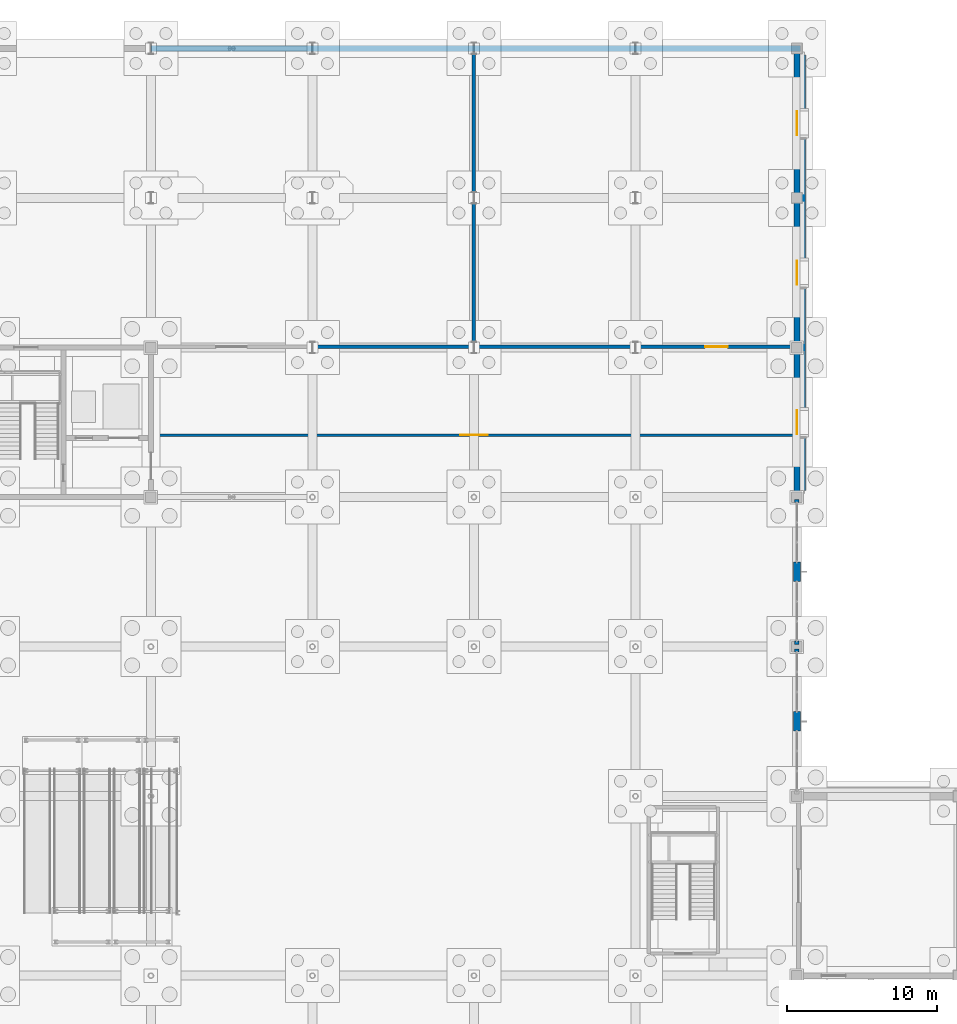
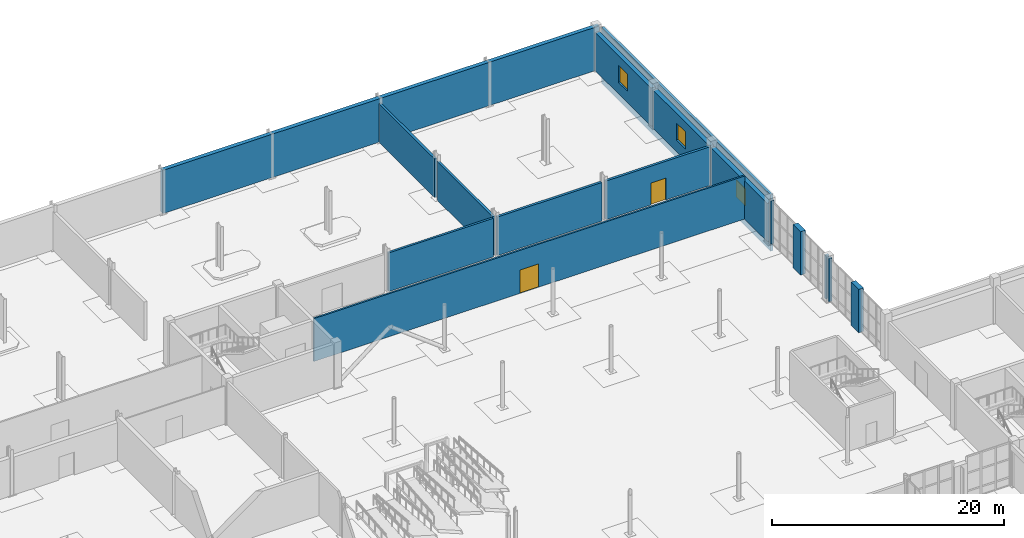
# One storey, part 57 of 73: 16 walls, 3 windows, 2 doors, 5 openings.
"""IFC4 building model written with IfcOpenShell, lengths in metres."""

from ifc_helpers import new_model, si_unit, direction, frame, frame_2d, origin, place, context, subcontext, project, spatial, rectangle, extrude, material, layer, layer_set, type_object, element, fill, save


model = new_model("IFC4")

# Units and contexts
model_context = context("Model", 3, precision=1e-05, world=origin(), true_north=direction((0.0, 1.0)))
body_context = subcontext(model_context, "Body", "Model", "MODEL_VIEW")
ifc_project = project(units=[si_unit("LENGTHUNIT", "METRE"), si_unit("AREAUNIT", "SQUARE_METRE"), si_unit("VOLUMEUNIT", "CUBIC_METRE"), si_unit("PLANEANGLEUNIT", "RADIAN"), si_unit("MASSUNIT", "GRAM", prefix="KILO")], contexts=[model_context])

# Site, building, storey
site_placement = place(None, origin())
site = spatial("IfcSite", under=ifc_project, at=site_placement, CompositionType="ELEMENT")
building_placement = place(site_placement, origin())
building = spatial("IfcBuilding", under=site, at=building_placement, Name="Tasgan Crest Museum", CompositionType="ELEMENT")
storey_placement = place(building_placement, origin())
storey = spatial("IfcBuildingStorey", under=building, at=storey_placement, Name="L00", CompositionType="ELEMENT", Elevation=0.0)

# Walls
ifc_material_1 = material(Name="Precast concrete C40/50", Category="concrete")
ifc_layer_1 = layer(ifc_material_1, 0.320068359375, Name="WL-EXT-CLER-320")
ifc_layer_set_1 = layer_set([ifc_layer_1], Name="Precast concrete C40/50")
wall_type_1 = type_object("IfcWallType", Name="WL-EXT-CLER-320", PredefinedType="STANDARD", material=ifc_layer_set_1)
for number, where, z_axis, x_axis, name in (
    (1, (108.0, 71.6298828125, 0.0), (0.0, 0.0, 1.0), (0.0, 1.0, 0.0), "Curtain wall jamb closure L00 JR"),
    (2, (108.0, 72.14501953125, 0.0), (0.0, 0.0, 1.0), (0.0, 1.0, 0.0), "Curtain wall jamb closure L00 JL"),
    (3, (108.0, 81.6298828125, 0.0), (0.0, 0.0, 1.0), (0.0, 1.0, 0.0), "Curtain wall jamb closure L00 JR"),
):
    element("IfcWall", number, at=place(storey_placement, frame(where, z_axis=z_axis, x_axis=x_axis)), inside=storey, type_object=wall_type_1, Name=name, PredefinedType="STANDARD", context=body_context, shape_type="SweptSolid", body=[
        extrude(rectangle(XDim=0.22509765625, YDim=0.300048828125, at=frame_2d((0.112548828125, 0.0))), origin(), (0.0, 0.0, 1.0), 4.56005859375),
    ])
ifc_material_2 = material(Name="Precast concrete C40/50", Category="concrete")
ifc_layer_2 = layer(ifc_material_2, 0.47998046875, Name="WL-EXT-GRAN-480")
ifc_layer_set_2 = layer_set([ifc_layer_2], Name="Precast concrete C40/50")
wall_type_2 = type_object("IfcWallType", Name="WL-EXT-GRAN-480", PredefinedType="STANDARD", material=ifc_layer_set_2)
for number, where, z_axis, x_axis, name in (
    (4, (108.0, 66.35009765625, 0.0), (0.0, 0.0, 1.0), (0.0, 1.0, 0.0), "Postmodern facade stone pier L00"),
    (5, (108.0, 76.35009765625, 0.0), (0.0, 0.0, 1.0), (0.0, 1.0, 0.0), "Postmodern facade stone pier L00"),
):
    element("IfcWall", number, at=place(storey_placement, frame(where, z_axis=z_axis, x_axis=x_axis)), inside=storey, type_object=wall_type_2, Name=name, PredefinedType="STANDARD", context=body_context, shape_type="SweptSolid", body=[
        extrude(rectangle(XDim=1.2998046875, YDim=0.47998046875, at=frame_2d((0.64990234375, 0.0))), origin(), (0.0, 0.0, 1.0), 4.56005859375),
    ])

# Wall, opening, window
ifc_material_3 = material(Name="Precast concrete C40/50", Category="concrete")
ifc_layer_3 = layer(ifc_material_3, 0.419921875, Name="WL-EXT-SAND-420")
ifc_layer_set_3 = layer_set([ifc_layer_3], Name="Precast concrete C40/50")
wall_type_3 = type_object("IfcWallType", Name="WL-EXT-SAND-420", PredefinedType="STANDARD", material=ifc_layer_set_3)
wall_1_placement = place(storey_placement, frame((108.0, 82.14501953125, 0.0), z_axis=(0.0, 0.0, 1.0), x_axis=(0.0, 1.0, 0.0)))
wall_1 = element("IfcWall", 6, at=wall_1_placement, inside=storey, type_object=wall_type_3, Name="Exterior wall L00 (108.0,87.0)", PredefinedType="STANDARD", context=body_context, shape_type="SweptSolid", body=[
    extrude(rectangle(XDim=9.7099609375, YDim=0.419921875, at=frame_2d((4.85498046875, 0.0))), origin(), (0.0, 0.0, 1.0), 4.009033203125),
])
opening_1_placement = place(wall_1_placement, frame((4.054931640625, 0.0, 1.199951171875)))
opening_1 = element("IfcOpeningElement", 7, at=opening_1_placement, cuts=wall_1, Name="Opening W11", PredefinedType="OPENING", context=body_context, shape_type="SweptSolid", body=[
    extrude(rectangle(XDim=1.60009765625, YDim=1.800048828125, at=frame_2d((0.800048828125, 0.89990234375))), frame((0.0, 0.219970703125, 0.0), z_axis=(0.0, -1.0, 0.0), x_axis=(1.0, 0.0, 0.0)), (0.0, 0.0, 1.0), 0.43994140625),
])
ifc_material_4 = material(Name="Thermally Broken Triple-Glazed Aluminium", Category="aluminium")
window_type = type_object("IfcWindowType", Name="WN-LAB-1600X1800", PartitioningType="SINGLE_PANEL", PredefinedType="WINDOW", material=ifc_material_4)
window_1_placement = place(opening_1_placement, origin())
window_1 = element("IfcWindow", 8, at=window_1_placement, inside=storey, type_object=window_type, Name="Window W11 L00-013", OverallHeight=1.800048828125, OverallWidth=1.60009765625, PartitioningType="SINGLE_PANEL", PredefinedType="WINDOW", context=body_context, shape_type="SweptSolid", body=[
    extrude(rectangle(XDim=1.60009765625, YDim=1.800048828125, at=frame_2d((0.800048828125, 0.89990234375))), frame((0.0, 0.030029296875, 0.0), z_axis=(0.0, -1.0, 0.0), x_axis=(1.0, 0.0, 0.0)), (0.0, 0.0, 1.0), 0.06005859375),
])
fill(opening_1, window_1)

wall_2_placement = place(storey_placement, frame((108.0, 92.14501953125, 0.0), z_axis=(0.0, 0.0, 1.0), x_axis=(0.0, 1.0, 0.0)))
wall_2 = element("IfcWall", 9, at=wall_2_placement, inside=storey, type_object=wall_type_3, Name="Exterior wall L00 (108.0,97.0)", PredefinedType="STANDARD", context=body_context, shape_type="SweptSolid", body=[
    extrude(rectangle(XDim=9.7099609375, YDim=0.419921875, at=frame_2d((4.85498046875, 0.0))), origin(), (0.0, 0.0, 1.0), 4.009033203125),
])
opening_2_placement = place(wall_2_placement, frame((4.054931640625, 0.0, 1.199951171875)))
opening_2 = element("IfcOpeningElement", 10, at=opening_2_placement, cuts=wall_2, Name="Opening W11", PredefinedType="OPENING", context=body_context, shape_type="SweptSolid", body=[
    extrude(rectangle(XDim=1.60009765625, YDim=1.800048828125, at=frame_2d((0.800048828125, 0.89990234375))), frame((0.0, 0.219970703125, 0.0), z_axis=(0.0, -1.0, 0.0), x_axis=(1.0, 0.0, 0.0)), (0.0, 0.0, 1.0), 0.43994140625),
])
window_2_placement = place(opening_2_placement, origin())
window_2 = element("IfcWindow", 11, at=window_2_placement, inside=storey, type_object=window_type, Name="Window W11 L00-014", OverallHeight=1.800048828125, OverallWidth=1.60009765625, PartitioningType="SINGLE_PANEL", PredefinedType="WINDOW", context=body_context, shape_type="SweptSolid", body=[
    extrude(rectangle(XDim=1.60009765625, YDim=1.800048828125, at=frame_2d((0.800048828125, 0.89990234375))), frame((0.0, 0.030029296875, 0.0), z_axis=(0.0, -1.0, 0.0), x_axis=(1.0, 0.0, 0.0)), (0.0, 0.0, 1.0), 0.06005859375),
])
fill(opening_2, window_2)

wall_3_placement = place(storey_placement, frame((108.0, 102.14501953125, 0.0), z_axis=(0.0, 0.0, 1.0), x_axis=(0.0, 1.0, 0.0)))
wall_3 = element("IfcWall", 12, at=wall_3_placement, inside=storey, type_object=wall_type_3, Name="Exterior wall L00 (108.0,107.0)", PredefinedType="STANDARD", context=body_context, shape_type="SweptSolid", body=[
    extrude(rectangle(XDim=9.7099609375, YDim=0.419921875, at=frame_2d((4.85498046875, 0.0))), origin(), (0.0, 0.0, 1.0), 4.009033203125),
])
opening_3_placement = place(wall_3_placement, frame((4.054931640625, 0.0, 1.199951171875)))
opening_3 = element("IfcOpeningElement", 13, at=opening_3_placement, cuts=wall_3, Name="Opening W11", PredefinedType="OPENING", context=body_context, shape_type="SweptSolid", body=[
    extrude(rectangle(XDim=1.60009765625, YDim=1.800048828125, at=frame_2d((0.800048828125, 0.89990234375))), frame((0.0, 0.219970703125, 0.0), z_axis=(0.0, -1.0, 0.0), x_axis=(1.0, 0.0, 0.0)), (0.0, 0.0, 1.0), 0.43994140625),
])
window_3_placement = place(opening_3_placement, origin())
window_3 = element("IfcWindow", 14, at=window_3_placement, inside=storey, type_object=window_type, Name="Window W11 L00-015", OverallHeight=1.800048828125, OverallWidth=1.60009765625, PartitioningType="SINGLE_PANEL", PredefinedType="WINDOW", context=body_context, shape_type="SweptSolid", body=[
    extrude(rectangle(XDim=1.60009765625, YDim=1.800048828125, at=frame_2d((0.800048828125, 0.89990234375))), frame((0.0, 0.030029296875, 0.0), z_axis=(0.0, -1.0, 0.0), x_axis=(1.0, 0.0, 0.0)), (0.0, 0.0, 1.0), 0.06005859375),
])
fill(opening_3, window_3)

# Wall
ifc_material_5 = material(Name="Concrete C40/50", Category="concrete")
ifc_layer_4 = layer(ifc_material_5, 0.239990234375, Name="WL-FIRE-240")
ifc_layer_set_4 = layer_set([ifc_layer_4], Name="Concrete C40/50")
wall_type_4 = type_object("IfcWallType", Name="WL-FIRE-240", PredefinedType="SOLIDWALL", material=ifc_layer_set_4)
wall_4_placement = place(storey_placement, frame((86.60009765625, 92.050048828125, 0.0), z_axis=(0.0, 0.0, 1.0), x_axis=(1.0, 0.0, 0.0)))
element("IfcWall", 15, at=wall_4_placement, inside=storey, type_object=wall_type_4, Name="Partition Paleoecology Study Gallery / Primary Electrical and Sprinkler Plant Room L00", PredefinedType="SOLIDWALL", context=body_context, shape_type="SweptSolid", body=[
    extrude(rectangle(XDim=10.39990234375, YDim=0.239990234375, at=frame_2d((5.199951171875, 0.0))), origin(), (0.0, 0.0, 1.0), 4.069091796875),
])

# Wall, opening, door
wall_5_placement = place(storey_placement, frame((97.39990234375, 92.050048828125, 0.0), z_axis=(0.0, 0.0, 1.0), x_axis=(1.0, 0.0, 0.0)))
wall_5 = element("IfcWall", 16, at=wall_5_placement, inside=storey, type_object=wall_type_4, Name="Partition Paleoecology Study Gallery / Primary Electrical and Sprinkler Plant Room L00", PredefinedType="SOLIDWALL", context=body_context, shape_type="SweptSolid", body=[
    extrude(rectangle(XDim=10.420166015625, YDim=0.239990234375, at=frame_2d((5.2099609375, 0.0))), origin(), (0.0, 0.0, 1.0), 4.069091796875),
])
opening_4_placement = place(wall_5_placement, frame((4.4599609375, 0.0, 0.0)))
opening_4 = element("IfcOpeningElement", 17, at=opening_4_placement, cuts=wall_5, Name="Opening D016", PredefinedType="OPENING", context=body_context, shape_type="SweptSolid", body=[
    extrude(rectangle(XDim=1.5, YDim=2.300048828125, at=frame_2d((0.75, 1.14990234375))), frame((0.0, 0.1298828125, 0.0), z_axis=(0.0, -1.0, 0.0), x_axis=(1.0, 0.0, 0.0)), (0.0, 0.0, 1.0), 0.260009765625),
])
ifc_material_6 = material(Name="Louvred Steel Plant Room Door", Category="steel")
door_type_1 = type_object("IfcDoorType", Name="DR-PLANT-1500", OperationType="NOTDEFINED", PredefinedType="DOOR", material=ifc_material_6)
door_1_placement = place(opening_4_placement, origin())
door_1 = element("IfcDoor", 18, at=door_1_placement, inside=storey, type_object=door_type_1, Name="Primary Electrical and Sprinkler Plant Room door D016", OperationType="SINGLE_SWING_RIGHT", OverallHeight=2.300048828125, OverallWidth=1.5, PredefinedType="DOOR", context=body_context, shape_type="SweptSolid", body=[
    extrude(rectangle(XDim=1.5, YDim=2.300048828125, at=frame_2d((0.75, 1.14990234375))), frame((0.0, 0.02490234375, 0.0), z_axis=(0.0, -1.0, 0.0), x_axis=(1.0, 0.0, 0.0)), (0.0, 0.0, 1.0), 0.050048828125),
])
fill(opening_4, door_1)

# Walls
for number, where, z_axis, x_axis, name in (
    (19, (86.39990234375, 92.179931640625, 0.0), (0.0, 0.0, 1.0), (0.0, 1.0, 0.0), "Partition Gobi Fossil Discovery Gallery / Primary Electrical and Sprinkler Plant Room L00"),
    (20, (86.39990234375, 102.199951171875, 0.0), (0.0, 0.0, 1.0), (0.0, 1.0, 0.0), "Partition Gobi Fossil Discovery Gallery / Primary Electrical and Sprinkler Plant Room L00"),
):
    element("IfcWall", number, at=place(storey_placement, frame(where, z_axis=z_axis, x_axis=x_axis)), inside=storey, type_object=wall_type_4, Name=name, PredefinedType="SOLIDWALL", context=body_context, shape_type="SweptSolid", body=[
        extrude(rectangle(XDim=9.6201171875, YDim=0.239990234375, at=frame_2d((4.81005859375, 0.0))), origin(), (0.0, 0.0, 1.0), 4.06005859375),
    ])
ifc_material_7 = material(Name="Precast concrete C40/50", Category="concrete")
ifc_layer_5 = layer(ifc_material_7, 0.260009765625, Name="WL-PARAPET-260")
ifc_layer_set_5 = layer_set([ifc_layer_5], Name="Precast concrete C40/50")
wall_type_5 = type_object("IfcWallType", Name="WL-PARAPET-260", PredefinedType="PARAPET", material=ifc_layer_set_5)
wall_6_placement = place(storey_placement, frame((108.429931640625, 82.449951171875, -1.3798828125), z_axis=(0.0, 0.0, 1.0), x_axis=(0.0, 1.0, 0.0)))
element("IfcWall", 21, at=wall_6_placement, inside=storey, type_object=wall_type_5, Name="Stepped hillside stone plinth E-NORTH-SLOPE", PredefinedType="PARAPET", context=body_context, shape_type="SweptSolid", body=[
    extrude(rectangle(XDim=29.10009765625, YDim=0.260009765625, at=frame_2d((14.550048828125, 0.0))), origin(), (0.0, 0.0, 1.0), 5.919921875),
])
ifc_material_8 = material(Name="Concrete C40/50", Category="concrete")
ifc_layer_6 = layer(ifc_material_8, 0.39990234375, Name="WL-RET-400")
ifc_layer_set_6 = layer_set([ifc_layer_6], Name="Concrete C40/50")
wall_type_6 = type_object("IfcWallType", Name="WL-RET-400", PredefinedType="USERDEFINED", material=ifc_layer_set_6)
wall_7_placement = place(storey_placement, frame((64.800048828125, 112.0, 0.0), z_axis=(0.0, 0.0, 1.0), x_axis=(1.0, 0.0, 0.0)))
element("IfcWall", 22, at=wall_7_placement, inside=storey, type_object=wall_type_6, Name="Hillside retaining wall L00 N bay 3", ObjectType="RETAININGWALL", PredefinedType="USERDEFINED", context=body_context, shape_type="SweptSolid", body=[
    extrude(rectangle(XDim=43.419921875, YDim=0.39990234375, at=frame_2d((21.7099609375, 0.0))), origin(), (0.0, 0.0, 1.0), 4.56005859375),
])

# Wall, opening, door
ifc_material_9 = material(Name="Gypsum Acoustic Museum Partition")
ifc_layer_7 = layer(ifc_material_9, 0.169921875, Name="WL-SCH-04")
ifc_layer_set_7 = layer_set([ifc_layer_7], Name="Gypsum Acoustic Museum Partition")
wall_type_7 = type_object("IfcWallType", Name="WL-SCH-04", PredefinedType="PARTITIONING", material=ifc_layer_set_7)
wall_8_placement = place(storey_placement, frame((64.97998046875, 86.14990234375, 0.0), z_axis=(0.0, 0.0, 1.0), x_axis=(1.0, 0.0, 0.0)))
wall_8 = element("IfcWall", 23, at=wall_8_placement, inside=storey, type_object=wall_type_7, Name="Partition North-East Logistics Spine Corridor / Paleoecology Study Gallery L00", PredefinedType="PARTITIONING", context=body_context, shape_type="SweptSolid", body=[
    extrude(rectangle(XDim=42.840087890625, YDim=0.169921875, at=frame_2d((21.419921875, 0.0))), origin(), (0.0, 0.0, 1.0), 4.52001953125),
])
opening_5_placement = place(wall_8_placement, frame((20.4951171875, 0.0, 0.0)))
opening_5 = element("IfcOpeningElement", 24, at=opening_5_placement, cuts=wall_8, Name="Opening D013", PredefinedType="OPENING", context=body_context, shape_type="SweptSolid", body=[
    extrude(rectangle(XDim=1.85009765625, YDim=2.449951171875, at=frame_2d((0.925048828125, 1.22509765625))), frame((0.0, 0.094970703125, 0.0), z_axis=(0.0, -1.0, 0.0), x_axis=(1.0, 0.0, 0.0)), (0.0, 0.0, 1.0), 0.18994140625),
])
ifc_material_10 = material(Name="Oak and Brushed Bronze Acoustic Door")
door_type_2 = type_object("IfcDoorType", Name="DR-SCH-13", OperationType="NOTDEFINED", PredefinedType="DOOR", material=ifc_material_10)
door_2_placement = place(opening_5_placement, origin())
door_2 = element("IfcDoor", 25, at=door_2_placement, inside=storey, type_object=door_type_2, Name="Paleoecology Study Gallery door D013", OperationType="DOUBLE_DOOR_SINGLE_SWING", OverallHeight=2.449951171875, OverallWidth=1.85009765625, PredefinedType="DOOR", context=body_context, shape_type="SweptSolid", body=[
    extrude(rectangle(XDim=1.85009765625, YDim=2.449951171875, at=frame_2d((0.925048828125, 1.22509765625))), frame((0.0, 0.02490234375, 0.0), z_axis=(0.0, -1.0, 0.0), x_axis=(1.0, 0.0, 0.0)), (0.0, 0.0, 1.0), 0.050048828125),
])
fill(opening_5, door_2)

# Wall
ifc_material_11 = material(Name="Gypsum Acoustic Museum Partition")
ifc_layer_8 = layer(ifc_material_11, 0.2099609375, Name="WL-SCH-06")
ifc_layer_set_8 = layer_set([ifc_layer_8], Name="Gypsum Acoustic Museum Partition")
wall_type_8 = type_object("IfcWallType", Name="WL-SCH-06", PredefinedType="PARTITIONING", material=ifc_layer_set_8)
wall_9_placement = place(storey_placement, frame((75.800048828125, 92.050048828125, 0.0), z_axis=(0.0, 0.0, 1.0), x_axis=(1.0, 0.0, 0.0)))
element("IfcWall", 26, at=wall_9_placement, inside=storey, type_object=wall_type_8, Name="Partition Paleoecology Study Gallery / Gobi Fossil Discovery Gallery L00", PredefinedType="PARTITIONING", context=body_context, shape_type="SweptSolid", body=[
    extrude(rectangle(XDim=10.39990234375, YDim=0.2099609375, at=frame_2d((5.199951171875, 0.0))), origin(), (0.0, 0.0, 1.0), 4.069091796875),
])

save(model, "model.ifc")
